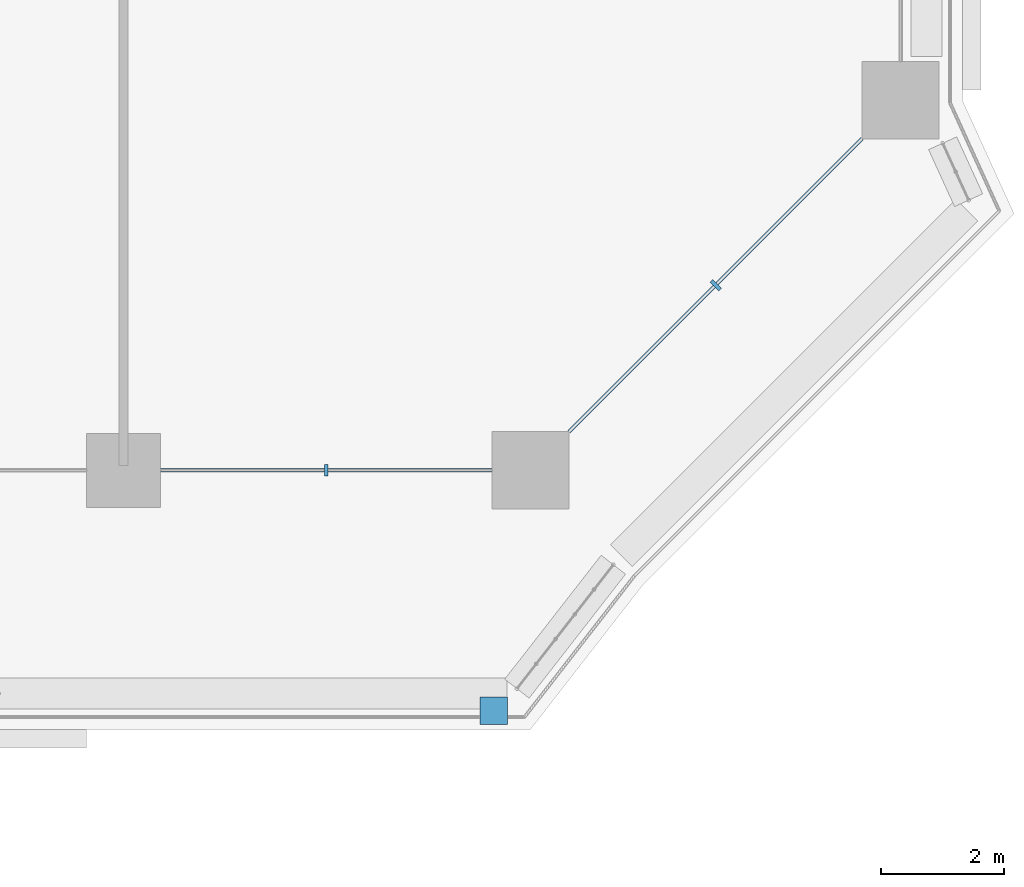
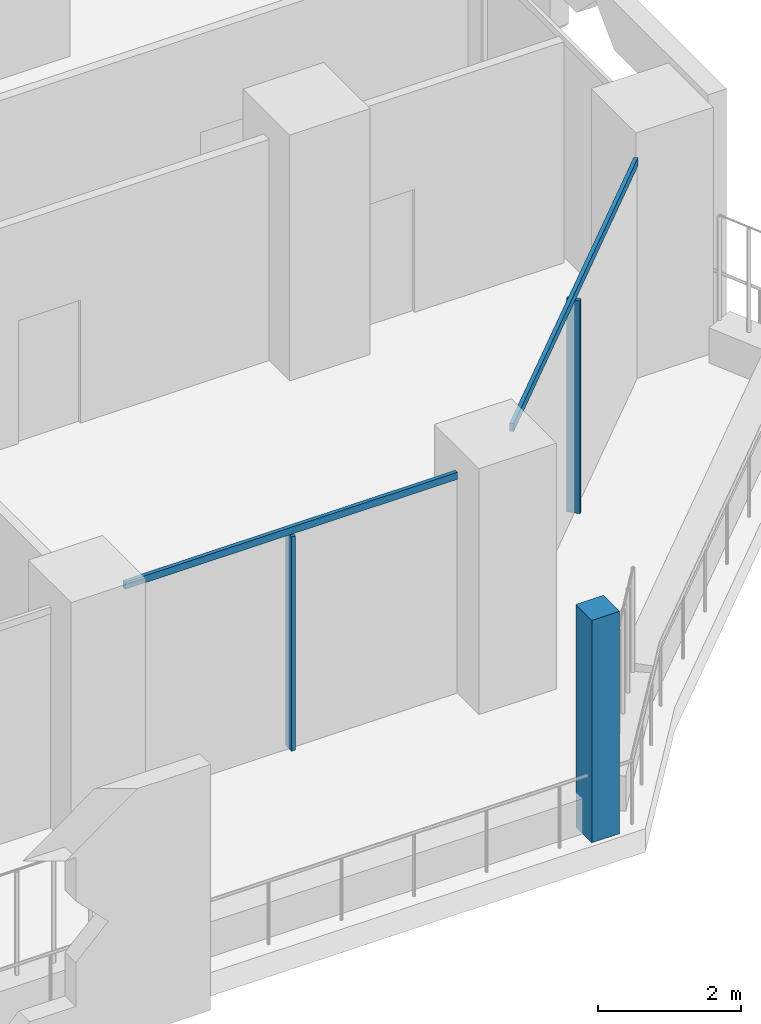
# One storey, part 6 of 28: 5 members, 3 elements without a shape of their own.
"""IFC4 building model written with IfcOpenShell, lengths in metres."""

from ifc_helpers import new_model, si_unit, direction, frame, origin, origin_2d, place, context, subcontext, project, spatial, rectangle, extrude, material, layer, layer_set, material_profile, profile_set, type_object, element, aggregate, save


model = new_model("IFC4")

# Units and contexts
model_context = context("Model", 3, precision=1e-05, world=origin(), true_north=direction((0.0, 1.0)))
body_context = subcontext(model_context, "Body", "Model", "MODEL_VIEW")
ifc_project = project(units=[si_unit("LENGTHUNIT", "METRE"), si_unit("AREAUNIT", "SQUARE_METRE"), si_unit("VOLUMEUNIT", "CUBIC_METRE"), si_unit("PLANEANGLEUNIT", "RADIAN"), si_unit("MASSUNIT", "GRAM", prefix="KILO")], contexts=[model_context])

# Site, building, storey
site_placement = place(None, origin())
site = spatial("IfcSite", under=ifc_project, at=site_placement, CompositionType="ELEMENT")
building_placement = place(site_placement, origin())
building = spatial("IfcBuilding", under=site, at=building_placement, Name="Kawkab Arch Medical Tower", CompositionType="ELEMENT")
storey_placement = place(building_placement, frame((0.0, 0.0, 47.60009765625)))
storey = spatial("IfcBuildingStorey", under=building, at=storey_placement, Name="L10", CompositionType="ELEMENT", Elevation=47.60009765625)

# Curtain wall, members
ifc_material_1 = material(Name="Bronze anodised aluminium curtain wall frame", Category="aluminium")
ifc_layer_1 = layer(ifc_material_1, 0.159912109375)
ifc_layer_set_1 = layer_set([ifc_layer_1], Name="Bronze anodised aluminium curtain wall frame")
curtain_wall_type_1 = type_object("IfcCurtainWallType", Name="CW1 ward curtain wall", PredefinedType="NOTDEFINED", material=ifc_layer_set_1)
placement = place(storey_placement, origin())
curtain_wall_1 = element("IfcCurtainWall", 1, at=placement, inside=storey, type_object=curtain_wall_type_1, Name="CW1 Ward curtain wall R05", PredefinedType="NOTDEFINED")
ifc_material_2 = material(Name="Bronze anodised aluminium curtain wall frame", Category="aluminium")
ifc_material_profile_1 = material_profile(ifc_material_2, rectangle(XDim=0.179931640625, YDim=0.06005859375, at=origin_2d()), Name="AL 60x180")
ifc_profile_set_1 = profile_set([ifc_material_profile_1], Name="Bronze anodised aluminium curtain wall frame")
member_type_1 = type_object("IfcMemberType", Name="CW1 mullion 60 x 180", PredefinedType="MULLION", material=ifc_profile_set_1)
member_1_placement = place(storey_placement, frame((70.487548828125, -25.199951171875, 0.0), z_axis=(0.0, 0.0, 1.0), x_axis=(0.0, 1.0, 0.0)))
member_1 = element("IfcMember", 2, at=member_1_placement, type_object=member_type_1, Name="CW1 mullion 3.1", PredefinedType="MULLION", context=body_context, shape_type="SweptSolid", body=[
    extrude(rectangle(XDim=0.179931640625, YDim=0.06005859375, at=origin_2d()), origin(), (0.0, 0.0, 1.0), 3.659912109375),
])
ifc_material_3 = material(Name="Bronze anodised aluminium curtain wall frame", Category="aluminium")
ifc_material_profile_2 = material_profile(ifc_material_3, rectangle(XDim=0.06005859375, YDim=0.1201171875, at=origin_2d()), Name="AL 60x120")
ifc_profile_set_2 = profile_set([ifc_material_profile_2], Name="Bronze anodised aluminium curtain wall frame")
member_type_2 = type_object("IfcMemberType", Name="CW1 transom 120 x 60", PredefinedType="USERDEFINED", material=ifc_profile_set_2)
member_2_placement = place(storey_placement, frame((67.800048828125, -25.199951171875, 3.719970703125), z_axis=(1.0, 0.0, 0.0), x_axis=(0.0, 1.0, 0.0)))
member_2 = element("IfcMember", 3, at=member_2_placement, type_object=member_type_2, Name="CW1 transom 3", ObjectType="TRANSOM", PredefinedType="USERDEFINED", context=body_context, shape_type="SweptSolid", body=[
    extrude(rectangle(XDim=0.06005859375, YDim=0.1201171875, at=origin_2d()), origin(), (0.0, 0.0, 1.0), 5.375),
])
aggregate(curtain_wall_1, [member_2, member_1])

ifc_material_4 = material(Name="Bronze anodised aluminium curtain wall frame", Category="aluminium")
ifc_layer_2 = layer(ifc_material_4, 0.159912109375)
ifc_layer_set_2 = layer_set([ifc_layer_2], Name="Bronze anodised aluminium curtain wall frame")
curtain_wall_type_2 = type_object("IfcCurtainWallType", Name="CW2 chamfer curtain wall", PredefinedType="NOTDEFINED", material=ifc_layer_set_2)
curtain_wall_2 = element("IfcCurtainWall", 4, at=placement, inside=storey, type_object=curtain_wall_type_2, Name="CW2 Chamfer curtain wall R06", PredefinedType="NOTDEFINED")
ifc_material_5 = material(Name="Bronze anodised aluminium curtain wall frame", Category="aluminium")
ifc_material_profile_3 = material_profile(ifc_material_5, rectangle(XDim=0.199951171875, YDim=0.06005859375, at=origin_2d()), Name="AL 60x200")
ifc_profile_set_3 = profile_set([ifc_material_profile_3], Name="Bronze anodised aluminium curtain wall frame")
member_type_3 = type_object("IfcMemberType", Name="CW2 mullion 60 x 200", PredefinedType="MULLION", material=ifc_profile_set_3)
member_3_placement = place(storey_placement, frame((76.800048828125, -22.199951171875, 0.0), z_axis=(0.0, 0.0, 1.0), x_axis=(-0.707106781187, 0.707106781187, 0.0)))
member_3 = element("IfcMember", 5, at=member_3_placement, type_object=member_type_3, Name="CW2 mullion 1.1", PredefinedType="MULLION", context=body_context, shape_type="SweptSolid", body=[
    extrude(rectangle(XDim=0.199951171875, YDim=0.06005859375, at=origin_2d()), origin(), (0.0, 0.0, 1.0), 3.639892578125),
])
ifc_material_6 = material(Name="Bronze anodised aluminium curtain wall frame", Category="aluminium")
ifc_material_profile_4 = material_profile(ifc_material_6, rectangle(XDim=0.06005859375, YDim=0.139892578125, at=origin_2d()), Name="AL 60x140")
ifc_profile_set_4 = profile_set([ifc_material_profile_4], Name="Bronze anodised aluminium curtain wall frame")
member_type_4 = type_object("IfcMemberType", Name="CW2 transom 140 x 60", PredefinedType="USERDEFINED", material=ifc_profile_set_4)
member_4_placement = place(storey_placement, frame((74.425048828125, -24.574951171875, 3.7099609375), z_axis=(0.707106781187, 0.707106781187, 0.0), x_axis=(-0.707106781187, 0.707106781187, 0.0)))
member_4 = element("IfcMember", 6, at=member_4_placement, type_object=member_type_4, Name="CW2 transom 1", ObjectType="TRANSOM", PredefinedType="USERDEFINED", context=body_context, shape_type="SweptSolid", body=[
    extrude(rectangle(XDim=0.06005859375, YDim=0.139892578125, at=origin_2d()), origin(), (0.0, 0.0, 1.0), 6.717529296875),
])
aggregate(curtain_wall_2, [member_4, member_3])

# Curtain wall, member
ifc_material_7 = material(Name="Bronze anodised aluminium climber frame, planted", Category="aluminium")
ifc_layer_3 = layer(ifc_material_7, 0.449951171875)
ifc_layer_set_3 = layer_set([ifc_layer_3], Name="Bronze anodised aluminium climber frame, planted")
curtain_wall_type_3 = type_object("IfcCurtainWallType", Name="Planted climber frame", PredefinedType="NOTDEFINED", material=ifc_layer_set_3)
curtain_wall_3 = element("IfcCurtainWall", 7, at=placement, inside=storey, type_object=curtain_wall_type_3, Name="Planted climber frame L10", PredefinedType="NOTDEFINED")
ifc_material_8 = material(Name="Bronze anodised aluminium climber frame, planted", Category="aluminium")
ifc_material_profile_5 = material_profile(ifc_material_8, rectangle(XDim=0.449951171875, YDim=0.449951171875, at=origin_2d()), Name="Post 450x450")
ifc_profile_set_5 = profile_set([ifc_material_profile_5], Name="Bronze anodised aluminium climber frame, planted")
member_type_5 = type_object("IfcMemberType", Name="Planted climber post 450 x 450", PredefinedType="MULLION", material=ifc_profile_set_5)
member_5_placement = place(storey_placement, frame((73.202880859375, -29.10009765625, 0.0), z_axis=(0.0, 0.0, 1.0), x_axis=(1.0, 0.0, 0.0)))
member_5 = element("IfcMember", 8, at=member_5_placement, type_object=member_type_5, Name="Planted climber post L10.LOG-01-02.3", PredefinedType="MULLION", context=body_context, shape_type="SweptSolid", body=[
    extrude(rectangle(XDim=0.449951171875, YDim=0.449951171875, at=origin_2d()), origin(), (0.0, 0.0, 1.0), 3.7998046875),
])
aggregate(curtain_wall_3, [member_5])

save(model, "model.ifc")
